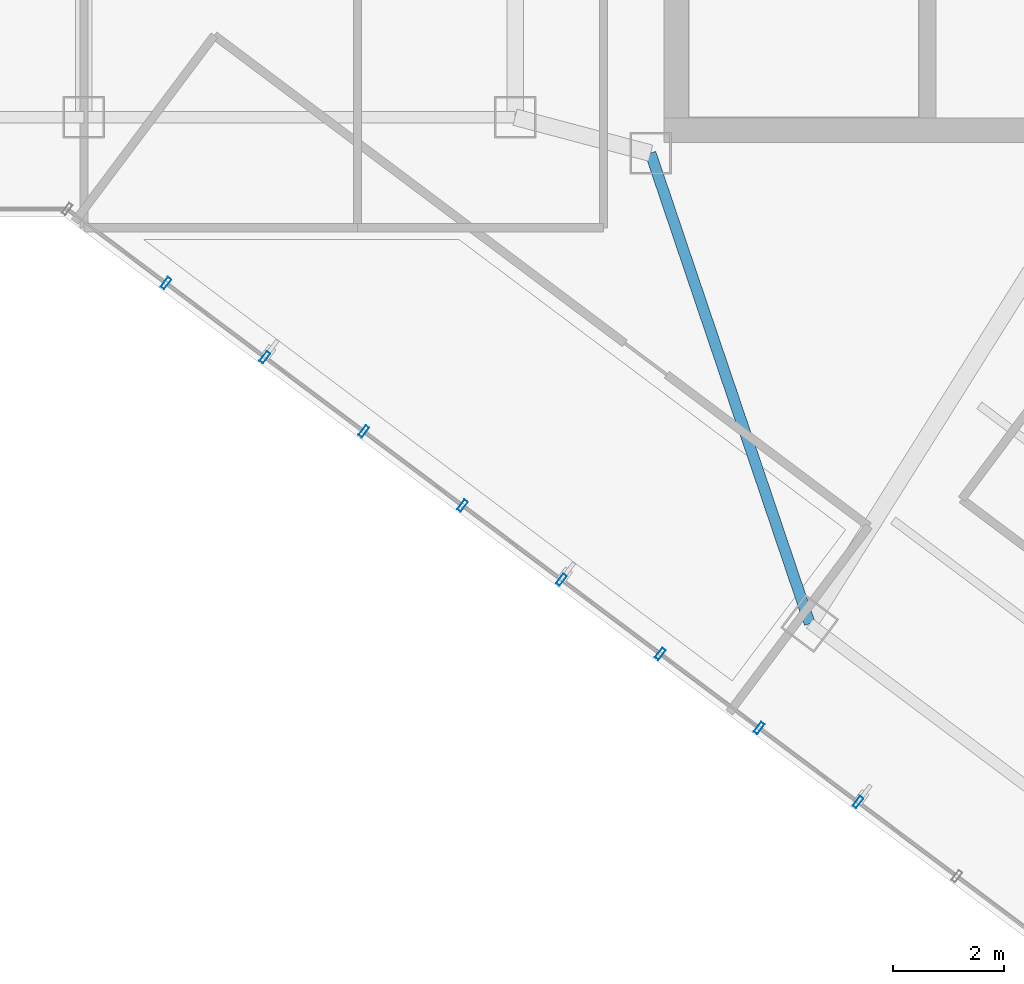
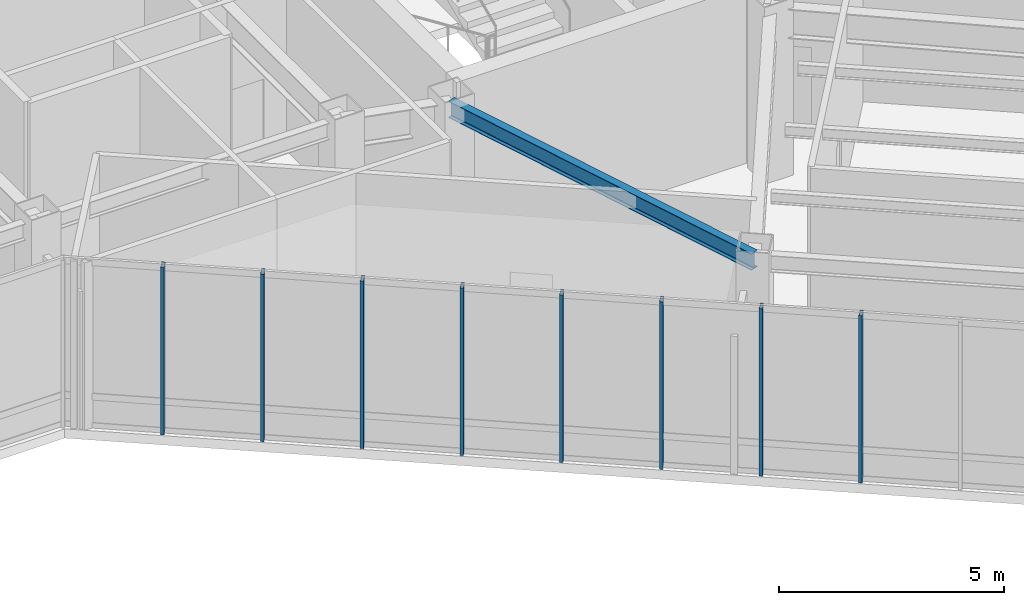
# One storey, part 5 of 21: 8 members, 1 beam, 1 element without a shape of its own.
"""IFC4 building model written with IfcOpenShell, lengths in metres."""

from ifc_helpers import new_model, si_unit, direction, frame, origin, origin_2d, place, context, subcontext, project, spatial, hollow_rectangle, i_section, extrude, material, layer, layer_set, material_profile, profile_set, type_object, element, aggregate, save


model = new_model("IFC4")

# Units and contexts
model_context = context("Model", 3, precision=1e-05, world=origin(), true_north=direction((0.0, 1.0)))
body_context = subcontext(model_context, "Body", "Model", "MODEL_VIEW")
ifc_project = project(units=[si_unit("LENGTHUNIT", "METRE"), si_unit("AREAUNIT", "SQUARE_METRE"), si_unit("VOLUMEUNIT", "CUBIC_METRE"), si_unit("PLANEANGLEUNIT", "RADIAN"), si_unit("MASSUNIT", "GRAM", prefix="KILO")], contexts=[model_context])

# Site, building, storey
site_placement = place(None, origin())
site = spatial("IfcSite", under=ifc_project, at=site_placement, CompositionType="ELEMENT")
building_placement = place(site_placement, origin())
building = spatial("IfcBuilding", under=site, at=building_placement, Name="Hatsunagi Terrace Concourse", CompositionType="ELEMENT")
storey_placement = place(building_placement, frame((0.0, 0.0, 186.75)))
storey = spatial("IfcBuildingStorey", under=building, at=storey_placement, Name="L49", CompositionType="ELEMENT", Elevation=186.75)

# Curtain wall, members
ifc_material_1 = material(Name="Anodised Aluminium Alloy 6063-T5", Category="aluminium")
ifc_layer = layer(ifc_material_1, 0.199951171875)
ifc_layer_set = layer_set([ifc_layer], Name="SkyLobbyAtrium_CW05")
curtain_wall_type = type_object("IfcCurtainWallType", Name="SkyLobbyAtrium_CW05", PredefinedType="NOTDEFINED", material=ifc_layer_set)
curtain_wall_placement = place(storey_placement, origin())
curtain_wall = element("IfcCurtainWall", 1, at=curtain_wall_placement, inside=storey, type_object=curtain_wall_type, Name="Unitised Curtain Wall CW-05 CW-L49-05", PredefinedType="NOTDEFINED")
ifc_material_2 = material(Name="Anodised Aluminium Alloy 6063-T5", Category="aluminium")
ifc_material_profile_1 = material_profile(ifc_material_2, hollow_rectangle(XDim=0.080078125, YDim=0.219970703125, WallThickness=0.0048828125, at=origin_2d()), Name="ALU-MUL-220x80x5")
ifc_profile_set_1 = profile_set([ifc_material_profile_1], Name="Anodised Aluminium Alloy 6063-T5")
member_type = type_object("IfcMemberType", Name="CurtainWallMullion_Heavy_220x80", PredefinedType="MULLION", material=ifc_profile_set_1)
member_1_placement = place(storey_placement, frame((39.552978515625, 12.81103515625, 0.0), z_axis=(0.0, 0.0, 1.0), x_axis=(-0.800005211305, 0.599993051531, 0.0)))
member_1 = element("IfcMember", 2, at=member_1_placement, type_object=member_type, Name="Curtain Wall Mullion MUL-01", PredefinedType="MULLION", context=body_context, shape_type="SweptSolid", body=[
    extrude(hollow_rectangle(XDim=0.080078125, YDim=0.219970703125, WallThickness=0.0048828125, at=origin_2d()), origin(), (0.0, 0.0, 1.0), 4.550048828125),
])
member_2_placement = place(storey_placement, frame((37.764892578125, 14.152099609375, 0.0), z_axis=(0.0, 0.0, 1.0), x_axis=(-0.800005211305, 0.599993051531, 0.0)))
member_2 = element("IfcMember", 3, at=member_2_placement, type_object=member_type, Name="Curtain Wall Mullion MUL-01", PredefinedType="MULLION", context=body_context, shape_type="SweptSolid", body=[
    extrude(hollow_rectangle(XDim=0.080078125, YDim=0.219970703125, WallThickness=0.0048828125, at=origin_2d()), origin(), (0.0, 0.0, 1.0), 4.550048828125),
])
member_3_placement = place(storey_placement, frame((35.97705078125, 15.492919921875, 0.0), z_axis=(0.0, 0.0, 1.0), x_axis=(-0.800005211305, 0.599993051531, 0.0)))
member_3 = element("IfcMember", 4, at=member_3_placement, type_object=member_type, Name="Curtain Wall Mullion MUL-01", PredefinedType="MULLION", context=body_context, shape_type="SweptSolid", body=[
    extrude(hollow_rectangle(XDim=0.080078125, YDim=0.219970703125, WallThickness=0.0048828125, at=origin_2d()), origin(), (0.0, 0.0, 1.0), 4.550048828125),
])
member_4_placement = place(storey_placement, frame((34.18798828125, 16.833984375, 0.0), z_axis=(0.0, 0.0, 1.0), x_axis=(-0.800005211305, 0.599993051531, 0.0)))
member_4 = element("IfcMember", 5, at=member_4_placement, type_object=member_type, Name="Curtain Wall Mullion MUL-01", PredefinedType="MULLION", context=body_context, shape_type="SweptSolid", body=[
    extrude(hollow_rectangle(XDim=0.080078125, YDim=0.219970703125, WallThickness=0.0048828125, at=origin_2d()), origin(), (0.0, 0.0, 1.0), 4.550048828125),
])
member_5_placement = place(storey_placement, frame((32.39990234375, 18.175048828125, 0.0), z_axis=(0.0, 0.0, 1.0), x_axis=(-0.800005211305, 0.599993051531, 0.0)))
member_5 = element("IfcMember", 6, at=member_5_placement, type_object=member_type, Name="Curtain Wall Mullion MUL-01", PredefinedType="MULLION", context=body_context, shape_type="SweptSolid", body=[
    extrude(hollow_rectangle(XDim=0.080078125, YDim=0.219970703125, WallThickness=0.0048828125, at=origin_2d()), origin(), (0.0, 0.0, 1.0), 4.550048828125),
])
member_6_placement = place(storey_placement, frame((30.612060546875, 19.51611328125, 0.0), z_axis=(0.0, 0.0, 1.0), x_axis=(-0.800005211305, 0.599993051531, 0.0)))
member_6 = element("IfcMember", 7, at=member_6_placement, type_object=member_type, Name="Curtain Wall Mullion MUL-01", PredefinedType="MULLION", context=body_context, shape_type="SweptSolid", body=[
    extrude(hollow_rectangle(XDim=0.080078125, YDim=0.219970703125, WallThickness=0.0048828125, at=origin_2d()), origin(), (0.0, 0.0, 1.0), 4.550048828125),
])
member_7_placement = place(storey_placement, frame((28.823974609375, 20.85791015625, 0.0), z_axis=(0.0, 0.0, 1.0), x_axis=(-0.800005211305, 0.599993051531, 0.0)))
member_7 = element("IfcMember", 8, at=member_7_placement, type_object=member_type, Name="Curtain Wall Mullion MUL-01", PredefinedType="MULLION", context=body_context, shape_type="SweptSolid", body=[
    extrude(hollow_rectangle(XDim=0.080078125, YDim=0.219970703125, WallThickness=0.0048828125, at=origin_2d()), origin(), (0.0, 0.0, 1.0), 4.550048828125),
])
member_8_placement = place(storey_placement, frame((27.034912109375, 22.198974609375, 0.0), z_axis=(0.0, 0.0, 1.0), x_axis=(-0.800005211305, 0.599993051531, 0.0)))
member_8 = element("IfcMember", 9, at=member_8_placement, type_object=member_type, Name="Curtain Wall Mullion MUL-01", PredefinedType="MULLION", context=body_context, shape_type="SweptSolid", body=[
    extrude(hollow_rectangle(XDim=0.080078125, YDim=0.219970703125, WallThickness=0.0048828125, at=origin_2d()), origin(), (0.0, 0.0, 1.0), 4.550048828125),
])
aggregate(curtain_wall, [member_1, member_2, member_3, member_4, member_5, member_6, member_7, member_8])

# Beam
ifc_material_3 = material(Name="Steel SN490B", Category="steel")
ifc_material_profile_2 = material_profile(ifc_material_3, i_section(OverallWidth=0.199951171875, OverallDepth=0.449951171875, WebThickness=0.009033203125, FlangeThickness=0.013916015625, FilletRadius=0.01611328125, at=origin_2d()), Name="H-450x200x9x14")
ifc_profile_set_2 = profile_set([ifc_material_profile_2], Name="Steel SN490B")
beam_type = type_object("IfcBeamType", Name="PerimeterSpandrel_H_450x200", PredefinedType="SPANDREL", material=ifc_profile_set_2)
beam_placement = place(storey_placement, frame((35.800048828125, 24.550048828125, 4.324951171875), z_axis=(0.320553412271, -0.947230441805, 0.0), x_axis=(0.947230441805, 0.320553412271, 0.0)))
element("IfcBeam", 10, at=beam_placement, inside=storey, type_object=beam_type, Name="Beam SP-02 BM-L49-SE-SW0", PredefinedType="SPANDREL", context=body_context, shape_type="SweptSolid", body=[
    extrude(i_section(OverallWidth=0.199951171875, OverallDepth=0.449951171875, WebThickness=0.009033203125, FlangeThickness=0.013916015625, FilletRadius=0.01611328125, at=origin_2d()), origin(), (0.0, 0.0, 1.0), 8.984130859375),
])

save(model, "model.ifc")
